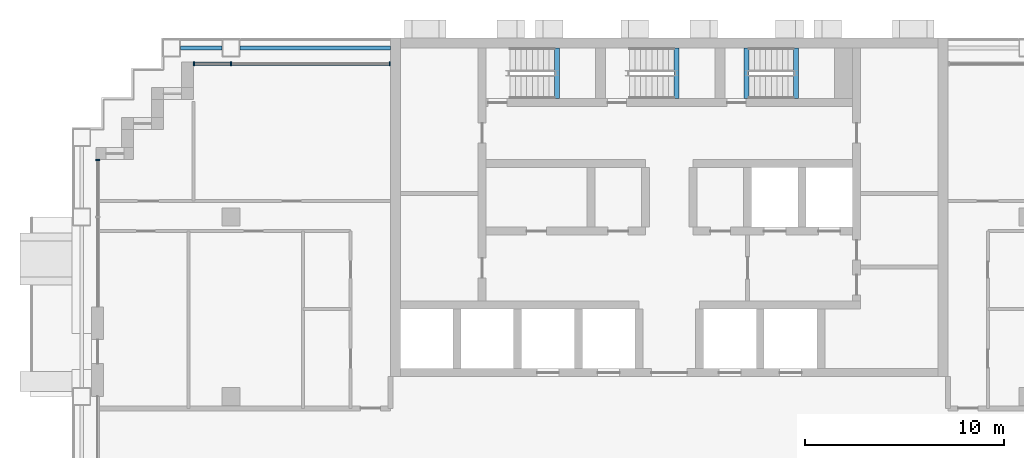
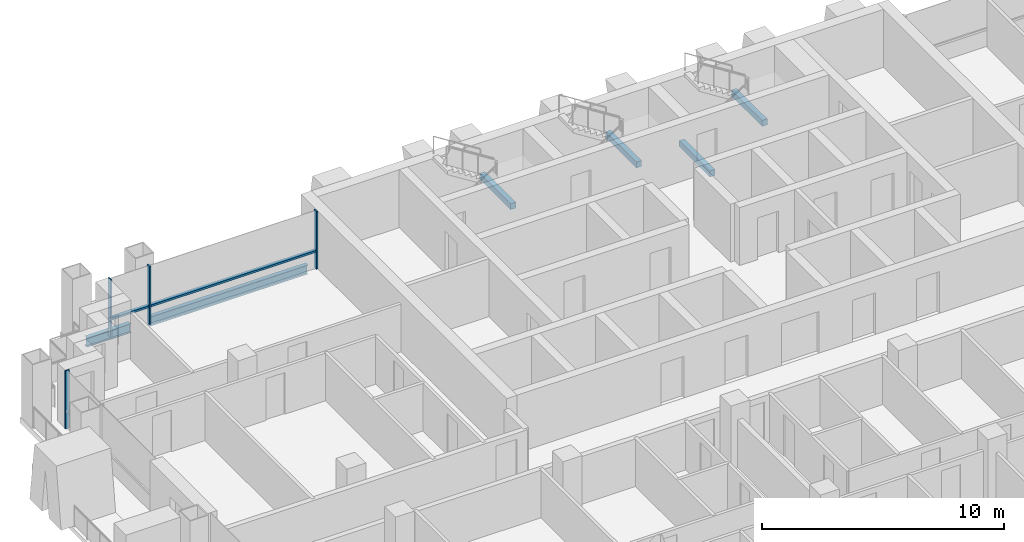
# One storey, part 4 of 18: 6 beams, 6 members, 2 elements without a shape of their own.
"""IFC4 building model written with IfcOpenShell, lengths in metres."""

from ifc_helpers import new_model, si_unit, direction, frame, origin, origin_2d, place, context, subcontext, project, spatial, rectangle, i_section, extrude, material, material_profile, profile_set, type_object, element, aggregate, save


model = new_model("IFC4")

# Units and contexts
model_context = context("Model", 3, precision=1e-05, world=origin(), true_north=direction((0.0, 1.0)))
body_context = subcontext(model_context, "Body", "Model", "MODEL_VIEW")
ifc_project = project(units=[si_unit("LENGTHUNIT", "METRE"), si_unit("AREAUNIT", "SQUARE_METRE"), si_unit("VOLUMEUNIT", "CUBIC_METRE"), si_unit("PLANEANGLEUNIT", "RADIAN"), si_unit("MASSUNIT", "GRAM", prefix="KILO")], contexts=[model_context])

# Site, building, storey
site_placement = place(None, origin())
site = spatial("IfcSite", under=ifc_project, at=site_placement, CompositionType="ELEMENT")
building_placement = place(site_placement, origin())
building = spatial("IfcBuilding", under=site, at=building_placement, Name="Vidyagriha Tower", CompositionType="ELEMENT")
storey_placement = place(building_placement, frame((0.0, 0.0, 83.89990234375)))
storey = spatial("IfcBuildingStorey", under=building, at=storey_placement, Name="L21", CompositionType="ELEMENT", Elevation=83.89990234375)

# Beams
ifc_material_1 = material(Name="Steel ASTM A992 Grade 50", Category="steel")
ifc_material_profile_1 = material_profile(ifc_material_1, i_section(OverallWidth=0.19189453125, OverallDepth=0.46240234375, WebThickness=0.010498046875, FlangeThickness=0.017578125, at=origin_2d()), Name="W18X60")
ifc_profile_set_1 = profile_set([ifc_material_profile_1], Name="Steel ASTM A992 Grade 50")
beam_type_1 = type_object("IfcBeamType", Name="Edge beam W18X60", PredefinedType="SPANDREL", material=ifc_profile_set_1)
beam_1_placement = place(storey_placement, frame((-24.550048828125, 19.5, -0.510986328125), z_axis=(1.0, 0.0, 0.0), x_axis=(0.0, 1.0, 0.0)))
element("IfcBeam", 1, at=beam_1_placement, inside=storey, type_object=beam_type_1, Name="st-beam-L21-NW20", PredefinedType="SPANDREL", context=body_context, shape_type="SweptSolid", body=[
    extrude(i_section(OverallWidth=0.19189453125, OverallDepth=0.46240234375, WebThickness=0.010498046875, FlangeThickness=0.017578125, at=origin_2d()), origin(), (0.0, 0.0, 1.0), 2.10009765625),
])
beam_2_placement = place(storey_placement, frame((-21.550048828125, 19.5, -0.510986328125), z_axis=(1.0, 0.0, 0.0), x_axis=(0.0, 1.0, 0.0)))
element("IfcBeam", 2, at=beam_2_placement, inside=storey, type_object=beam_type_1, Name="st-beam-L21-NC24", PredefinedType="SPANDREL", context=body_context, shape_type="SweptSolid", body=[
    extrude(i_section(OverallWidth=0.19189453125, OverallDepth=0.46240234375, WebThickness=0.010498046875, FlangeThickness=0.017578125, at=origin_2d()), origin(), (0.0, 0.0, 1.0), 7.550048828125),
])

# Curtain wall, members
ifc_material_2 = material(Name="Aluminium and glass curtain wall", Category="aluminium")
curtain_wall_type = type_object("IfcCurtainWallType", Name="Dwelling skin unitised curtain wall", PredefinedType="USERDEFINED", material=ifc_material_2)
curtain_wall_1_placement = place(storey_placement, origin())
curtain_wall_1 = element("IfcCurtainWall", 3, at=curtain_wall_1_placement, inside=storey, type_object=curtain_wall_type, Name="CW1 dwelling skin", ObjectType="UNITISED", PredefinedType="USERDEFINED")
ifc_material_3 = material(Name="Aluminium black anodised", Category="aluminium")
ifc_material_profile_2 = material_profile(ifc_material_3, rectangle(XDim=0.199951171875, YDim=0.070068359375, at=origin_2d()), Name="Mullion 70x200 black aluminium")
ifc_profile_set_2 = profile_set([ifc_material_profile_2], Name="Aluminium black anodised")
member_type_1 = type_object("IfcMemberType", Name="Mullion 70x200 black aluminium", PredefinedType="MULLION", material=ifc_profile_set_2)
member_1_placement = place(storey_placement, frame((-14.034912109375, 18.699951171875, 0.0), z_axis=(0.0, 0.0, 1.0), x_axis=(0.0, -1.0, 0.0)))
member_1 = element("IfcMember", 4, at=member_1_placement, type_object=member_type_1, Name="CW1 mullion 1", PredefinedType="MULLION", context=body_context, shape_type="SweptSolid", body=[
    extrude(rectangle(XDim=0.199951171875, YDim=0.070068359375, at=origin_2d()), origin(), (0.0, 0.0, 1.0), 2.920166015625),
])
member_2_placement = place(storey_placement, frame((-22.0, 18.699951171875, 0.0), z_axis=(0.0, 0.0, 1.0), x_axis=(0.0, -1.0, 0.0)))
member_2 = element("IfcMember", 5, at=member_2_placement, type_object=member_type_1, Name="CW1 mullion 2", PredefinedType="MULLION", context=body_context, shape_type="SweptSolid", body=[
    extrude(rectangle(XDim=0.199951171875, YDim=0.070068359375, at=origin_2d()), origin(), (0.0, 0.0, 1.0), 2.920166015625),
])
member_3_placement = place(storey_placement, frame((-23.864990234375, 18.699951171875, 0.0), z_axis=(0.0, 0.0, 1.0), x_axis=(0.0, -1.0, 0.0)))
member_3 = element("IfcMember", 6, at=member_3_placement, type_object=member_type_1, Name="CW1 mullion 3", PredefinedType="MULLION", context=body_context, shape_type="SweptSolid", body=[
    extrude(rectangle(XDim=0.199951171875, YDim=0.070068359375, at=origin_2d()), origin(), (0.0, 0.0, 1.0), 2.920166015625),
])

# Curtain wall, member
curtain_wall_2_placement = place(storey_placement, origin())
curtain_wall_2 = element("IfcCurtainWall", 7, at=curtain_wall_2_placement, inside=storey, type_object=curtain_wall_type, Name="CW1 dwelling skin", ObjectType="UNITISED", PredefinedType="USERDEFINED")
member_4_placement = place(storey_placement, frame((-28.699951171875, 13.864990234375, 0.0)))
member_4 = element("IfcMember", 8, at=member_4_placement, type_object=member_type_1, Name="CW1 mullion 1", PredefinedType="MULLION", context=body_context, shape_type="SweptSolid", body=[
    extrude(rectangle(XDim=0.199951171875, YDim=0.070068359375, at=origin_2d()), origin(), (0.0, 0.0, 1.0), 2.920166015625),
])
aggregate(curtain_wall_2, [member_4])

# Beams
ifc_material_4 = material(Name="Concrete C40/50", Category="concrete")
ifc_material_profile_3 = material_profile(ifc_material_4, rectangle(XDim=0.25, YDim=0.300048828125, at=origin_2d()), Name="Stair landing bearing beam 250x300")
ifc_profile_set_3 = profile_set([ifc_material_profile_3], Name="Concrete C40/50")
beam_type_2 = type_object("IfcBeamType", Name="Stair landing bearing beam 250x300", PredefinedType="BEAM", material=ifc_profile_set_3)
for number, where, z_axis, x_axis, name in (
    (9, (3.875, 16.949951171875, -0.429931640625), (0.0, 1.0, 0.0), (-1.0, 0.0, 0.0), "ST3 floor landing bearing beam L21"),
    (10, (-5.635009765625, 16.949951171875, 1.25), (0.0, 1.0, 0.0), (-1.0, 0.0, 0.0), "ST1 landing bearing beam L21"),
    (11, (0.364990234375, 16.949951171875, 1.25), (0.0, 1.0, 0.0), (-1.0, 0.0, 0.0), "ST2 landing bearing beam L21"),
    (12, (6.364990234375, 16.949951171875, 1.25), (0.0, 1.0, 0.0), (-1.0, 0.0, 0.0), "ST3 landing bearing beam L21"),
):
    element("IfcBeam", number, at=place(storey_placement, frame(where, z_axis=z_axis, x_axis=x_axis)), inside=storey, type_object=beam_type_2, Name=name, PredefinedType="BEAM", context=body_context, shape_type="SweptSolid", body=[
        extrude(rectangle(XDim=0.25, YDim=0.300048828125, at=origin_2d()), origin(), (0.0, 0.0, 1.0), 2.550048828125),
    ])

# Member
ifc_material_5 = material(Name="Aluminium black anodised", Category="aluminium")
ifc_material_profile_4 = material_profile(ifc_material_5, rectangle(XDim=0.159912109375, YDim=0.10009765625, at=origin_2d()), Name="Transom 100x160 black aluminium")
ifc_profile_set_4 = profile_set([ifc_material_profile_4], Name="Aluminium black anodised")
member_type_2 = type_object("IfcMemberType", Name="Transom 100x160 black aluminium", PredefinedType="USERDEFINED", material=ifc_profile_set_4)
member_5_placement = place(storey_placement, frame((-14.070068359375, 18.699951171875, 0.900146484375), z_axis=(-1.0, 0.0, 0.0), x_axis=(0.0, -1.0, 0.0)))
member_5 = element("IfcMember", 13, at=member_5_placement, type_object=member_type_2, Name="CW1 transom 1.1", ObjectType="TRANSOM", PredefinedType="USERDEFINED", context=body_context, shape_type="SweptSolid", body=[
    extrude(rectangle(XDim=0.159912109375, YDim=0.10009765625, at=origin_2d()), origin(), (0.0, 0.0, 1.0), 7.89501953125),
])

member_6_placement = place(storey_placement, frame((-22.034912109375, 18.699951171875, 0.900146484375), z_axis=(-1.0, 0.0, 0.0), x_axis=(0.0, -1.0, 0.0)))
member_6 = element("IfcMember", 14, at=member_6_placement, type_object=member_type_2, Name="CW1 transom 2.1", ObjectType="TRANSOM", PredefinedType="USERDEFINED", context=body_context, shape_type="SweptSolid", body=[
    extrude(rectangle(XDim=0.159912109375, YDim=0.10009765625, at=origin_2d()), origin(), (0.0, 0.0, 1.0), 1.795166015625),
])

aggregate(curtain_wall_1, [member_1, member_2, member_3, member_5, member_6])

save(model, "model.ifc")
